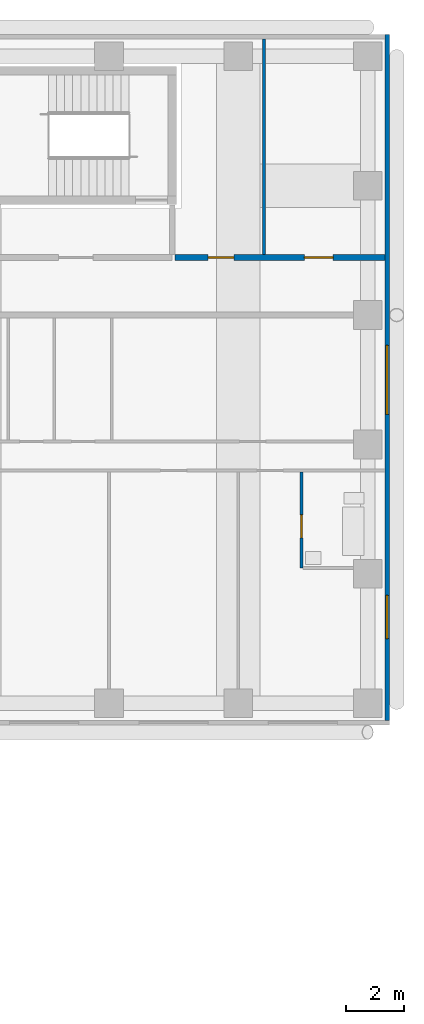
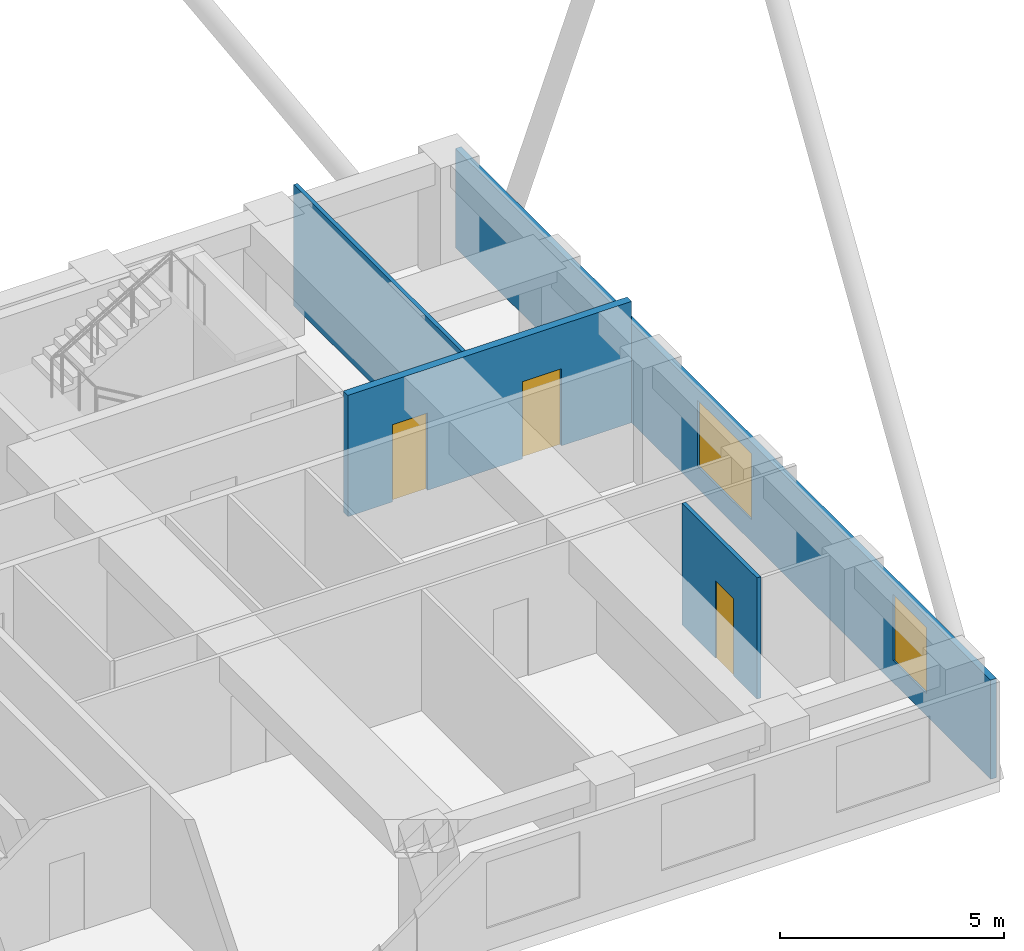
# One storey, part 10 of 13: 4 walls, 3 doors, 2 windows, 5 openings.
"""IFC4 building model written with IfcOpenShell, lengths in metres."""

from ifc_helpers import new_model, si_unit, direction, frame, frame_2d, origin, place, context, subcontext, project, spatial, rectangle, extrude, material, layer, layer_set, type_object, element, fill, save


model = new_model("IFC4")

# Units and contexts
model_context = context("Model", 3, precision=1e-05, world=origin(), true_north=direction((0.0, 1.0)))
body_context = subcontext(model_context, "Body", "Model", "MODEL_VIEW")
ifc_project = project(units=[si_unit("LENGTHUNIT", "METRE"), si_unit("AREAUNIT", "SQUARE_METRE"), si_unit("VOLUMEUNIT", "CUBIC_METRE"), si_unit("PLANEANGLEUNIT", "RADIAN"), si_unit("MASSUNIT", "GRAM", prefix="KILO")], contexts=[model_context])

# Site, building, storey
site_placement = place(None, origin())
site = spatial("IfcSite", under=ifc_project, at=site_placement, CompositionType="ELEMENT")
building_placement = place(site_placement, origin())
building = spatial("IfcBuilding", under=site, at=building_placement, Name="Firuza Court", CompositionType="ELEMENT")
storey_placement = place(building_placement, frame((0.0, 0.0, 141.199951171875)))
storey = spatial("IfcBuildingStorey", under=building, at=storey_placement, Name="L35", CompositionType="ELEMENT", Elevation=141.199951171875)

# Wall, opening, door
ifc_material_1 = material(Name="Moisture-resistant gypsum board partition")
ifc_layer_1 = layer(ifc_material_1, 0.10009765625)
ifc_layer_set_1 = layer_set([ifc_layer_1], Name="Moisture-resistant gypsum board partition")
wall_type_1 = type_object("IfcWallType", Name="Bathroom partition 100", PredefinedType="PLUMBINGWALL", material=ifc_layer_set_1)
wall_1_placement = place(storey_placement, frame((65.199951171875, 40.699951171875, 0.0), z_axis=(0.0, 0.0, 1.0), x_axis=(0.0, 1.0, 0.0)))
wall_1 = element("IfcWall", 1, at=wall_1_placement, inside=storey, type_object=wall_type_1, Name="Bathroom partition 100 L35", PredefinedType="PLUMBINGWALL", context=body_context, shape_type="SweptSolid", body=[
    extrude(rectangle(XDim=3.35009765625, YDim=0.10009765625, at=frame_2d((1.675048828125, 0.0))), origin(), (0.0, 0.0, 1.0), 3.300048828125),
])
opening_1_placement = place(wall_1_placement, frame((1.050048828125, 0.0, 0.0)))
opening_1 = element("IfcOpeningElement", 2, at=opening_1_placement, cuts=wall_1, Name="Opening D35045", PredefinedType="OPENING", context=body_context, shape_type="SweptSolid", body=[
    extrude(rectangle(XDim=0.800048828125, YDim=2.10009765625, at=frame_2d((0.39990234375, 1.050048828125))), frame((0.0, 0.06201171875, 0.0), z_axis=(0.0, -1.0, 0.0), x_axis=(1.0, 0.0, 0.0)), (0.0, 0.0, 1.0), 0.1240234375),
])
ifc_material_2 = material(Name="Timber door leaf in hardwood frame", Category="wood")
door_type_1 = type_object("IfcDoorType", Name="Bathroom door 800", OperationType="SINGLE_SWING_LEFT", PredefinedType="DOOR", material=ifc_material_2)
door_1_placement = place(opening_1_placement, frame((0.800048828125, 0.0, 0.0), z_axis=(0.0, 0.0, 1.0), x_axis=(-1.0, 0.0, 0.0)))
door_1 = element("IfcDoor", 3, at=door_1_placement, inside=storey, type_object=door_type_1, Name="En-suite door", OperationType="SINGLE_SWING_RIGHT", OverallHeight=2.10009765625, OverallWidth=0.800048828125, PredefinedType="DOOR", context=body_context, shape_type="SweptSolid", body=[
    extrude(rectangle(XDim=0.800048828125, YDim=2.10009765625, at=frame_2d((0.39990234375, 1.050048828125))), frame((0.0, 0.02490234375, 0.0), z_axis=(0.0, -1.0, 0.0), x_axis=(1.0, 0.0, 0.0)), (0.0, 0.0, 1.0), 0.050048828125),
])
fill(opening_1, door_1)

# Wall, openings, doors
ifc_material_3 = material(Name="Blockwork, plastered both sides", Category="masonry")
ifc_layer_2 = layer(ifc_material_3, 0.199951171875)
ifc_layer_set_2 = layer_set([ifc_layer_2], Name="Blockwork, plastered both sides")
wall_type_2 = type_object("IfcWallType", Name="Corridor wall 200", PredefinedType="PARTITIONING", material=ifc_layer_set_2)
wall_2_placement = place(storey_placement, frame((60.800048828125, 51.5, 0.0), z_axis=(0.0, 0.0, 1.0), x_axis=(1.0, 0.0, 0.0)))
wall_2 = element("IfcWall", 4, at=wall_2_placement, inside=storey, type_object=wall_type_2, Name="Corridor wall 200 L35", PredefinedType="PARTITIONING", context=body_context, shape_type="SweptSolid", body=[
    extrude(rectangle(XDim=7.300048828125, YDim=0.199951171875, at=frame_2d((3.64990234375, 0.0))), origin(), (0.0, 0.0, 1.0), 3.300048828125),
])
opening_2_placement = place(wall_2_placement, frame((1.14990234375, 0.0, 0.0)))
opening_2 = element("IfcOpeningElement", 5, at=opening_2_placement, cuts=wall_2, Name="Opening D35070", PredefinedType="OPENING", context=body_context, shape_type="SweptSolid", body=[
    extrude(rectangle(XDim=0.89990234375, YDim=2.10009765625, at=frame_2d((0.449951171875, 1.050048828125))), frame((0.0, 0.11181640625, 0.0), z_axis=(0.0, -1.0, 0.0), x_axis=(1.0, 0.0, 0.0)), (0.0, 0.0, 1.0), 0.223876953125),
])
opening_3_placement = place(wall_2_placement, frame((4.5, 0.0, 0.0)))
opening_3 = element("IfcOpeningElement", 6, at=opening_3_placement, cuts=wall_2, Name="Opening D35071", PredefinedType="OPENING", context=body_context, shape_type="SweptSolid", body=[
    extrude(rectangle(XDim=1.0, YDim=2.10009765625, at=frame_2d((0.5, 1.050048828125))), frame((0.0, 0.11181640625, 0.0), z_axis=(0.0, -1.0, 0.0), x_axis=(1.0, 0.0, 0.0)), (0.0, 0.0, 1.0), 0.223876953125),
])
ifc_material_4 = material(Name="Timber door leaf in hardwood frame", Category="wood")
door_type_2 = type_object("IfcDoorType", Name="Room door 900 EI 30", OperationType="SINGLE_SWING_LEFT", PredefinedType="DOOR", material=ifc_material_4)
door_2_placement = place(opening_2_placement, origin())
door_2 = element("IfcDoor", 7, at=door_2_placement, inside=storey, type_object=door_type_2, Name="Staff pantry door", OperationType="SINGLE_SWING_LEFT", OverallHeight=2.10009765625, OverallWidth=0.89990234375, PredefinedType="DOOR", context=body_context, shape_type="SweptSolid", body=[
    extrude(rectangle(XDim=0.89990234375, YDim=2.10009765625, at=frame_2d((0.449951171875, 1.050048828125))), frame((0.0, 0.02490234375, 0.0), z_axis=(0.0, -1.0, 0.0), x_axis=(1.0, 0.0, 0.0)), (0.0, 0.0, 1.0), 0.050048828125),
])
fill(opening_2, door_2)
ifc_material_5 = material(Name="Timber door leaf in hardwood frame", Category="wood")
door_type_3 = type_object("IfcDoorType", Name="Store door 1000", OperationType="SINGLE_SWING_LEFT", PredefinedType="DOOR", material=ifc_material_5)
door_3_placement = place(opening_3_placement, origin())
door_3 = element("IfcDoor", 8, at=door_3_placement, inside=storey, type_object=door_type_3, Name="Parcel room door", OperationType="SINGLE_SWING_LEFT", OverallHeight=2.10009765625, OverallWidth=1.0, PredefinedType="DOOR", context=body_context, shape_type="SweptSolid", body=[
    extrude(rectangle(XDim=1.0, YDim=2.10009765625, at=frame_2d((0.5, 1.050048828125))), frame((0.0, 0.02490234375, 0.0), z_axis=(0.0, -1.0, 0.0), x_axis=(1.0, 0.0, 0.0)), (0.0, 0.0, 1.0), 0.050048828125),
])
fill(opening_3, door_3)

# Wall
ifc_material_6 = material(Name="Timber stud partition, plasterboard both sides", Category="wood")
ifc_layer_3 = layer(ifc_material_6, 0.10009765625)
ifc_layer_set_3 = layer_set([ifc_layer_3], Name="Timber stud partition, plasterboard both sides")
wall_type_3 = type_object("IfcWallType", Name="Partition wall 100", PredefinedType="PARTITIONING", material=ifc_layer_set_3)
wall_3_placement = place(storey_placement, frame((63.89990234375, 51.60009765625, 0.0), z_axis=(0.0, 0.0, 1.0), x_axis=(0.0, 1.0, 0.0)))
element("IfcWall", 9, at=wall_3_placement, inside=storey, type_object=wall_type_3, Name="Partition wall 100 L35", PredefinedType="PARTITIONING", context=body_context, shape_type="SweptSolid", body=[
    extrude(rectangle(XDim=7.5, YDim=0.10009765625, at=frame_2d((3.75, 0.0))), origin(), (0.0, 0.0, 1.0), 3.300048828125),
])

# Wall, openings, windows
ifc_material_7 = material(Name="Ceramic tile", Category="ceramic")
ifc_layer_4 = layer(ifc_material_7, 0.02001953125)
ifc_material_8 = material(Name="Mineral wool insulation", Category="insulation")
ifc_layer_5 = layer(ifc_material_8, 0.050048828125)
ifc_material_9 = material(Name="Concrete C40/50 precast", Category="concrete")
ifc_layer_6 = layer(ifc_material_9, 0.080078125)
ifc_layer_set_4 = layer_set([ifc_layer_4, ifc_layer_5, ifc_layer_6], Name="Concrete C40/50 precast")
wall_type_4 = type_object("IfcWallType", Name="Precast cladding wall with turquoise TILE PANEL face 150", PredefinedType="STANDARD", material=ifc_layer_set_4)
wall_4_placement = place(storey_placement, frame((68.175048828125, 35.39990234375, 0.0), z_axis=(0.0, 0.0, 1.0), x_axis=(0.0, 1.0, 0.0)))
wall_4 = element("IfcWall", 10, at=wall_4_placement, inside=storey, type_object=wall_type_4, Name="Facade wall L35 E", PredefinedType="STANDARD", context=body_context, shape_type="SweptSolid", body=[
    extrude(rectangle(XDim=23.85009765625, YDim=0.14990234375, at=frame_2d((11.925048828125, 0.0))), origin(), (0.0, 0.0, 1.0), 2.699951171875),
])
opening_4_placement = place(wall_4_placement, frame((2.8466796875, 0.0, 0.60009765625)))
opening_4 = element("IfcOpeningElement", 11, at=opening_4_placement, cuts=wall_4, Name="Opening W2", PredefinedType="OPENING", context=body_context, shape_type="SweptSolid", body=[
    extrude(rectangle(XDim=1.5, YDim=1.800048828125, at=frame_2d((0.75, 0.89990234375))), frame((0.0, 0.0869140625, 0.0), z_axis=(0.0, -1.0, 0.0), x_axis=(1.0, 0.0, 0.0)), (0.0, 0.0, 1.0), 0.173828125),
])
opening_5_placement = place(wall_4_placement, frame((10.64990234375, 0.0, 0.60009765625)))
opening_5 = element("IfcOpeningElement", 12, at=opening_5_placement, cuts=wall_4, Name="Opening W1", PredefinedType="OPENING", context=body_context, shape_type="SweptSolid", body=[
    extrude(rectangle(XDim=2.39990234375, YDim=1.800048828125, at=frame_2d((1.199951171875, 0.89990234375))), frame((0.0, 0.0869140625, 0.0), z_axis=(0.0, -1.0, 0.0), x_axis=(1.0, 0.0, 0.0)), (0.0, 0.0, 1.0), 0.173828125),
])
ifc_material_10 = material(Name="Aluminium frame, triple clear glazing", Category="aluminium")
window_type_1 = type_object("IfcWindowType", Name="Window W1 2400 x 1800", PartitioningType="SINGLE_PANEL", PredefinedType="WINDOW", material=ifc_material_10)
window_1_placement = place(opening_5_placement, origin())
window_1 = element("IfcWindow", 13, at=window_1_placement, inside=storey, type_object=window_type_1, Name="Window L35", OverallHeight=1.800048828125, OverallWidth=2.39990234375, PartitioningType="SINGLE_PANEL", PredefinedType="WINDOW", context=body_context, shape_type="SweptSolid", body=[
    extrude(rectangle(XDim=2.39990234375, YDim=1.800048828125, at=frame_2d((1.199951171875, 0.89990234375))), frame((0.0, 0.030029296875, 0.0), z_axis=(0.0, -1.0, 0.0), x_axis=(1.0, 0.0, 0.0)), (0.0, 0.0, 1.0), 0.06005859375),
])
fill(opening_5, window_1)
ifc_material_11 = material(Name="Aluminium frame, triple clear glazing", Category="aluminium")
window_type_2 = type_object("IfcWindowType", Name="Window W2 1500 x 1800", PartitioningType="SINGLE_PANEL", PredefinedType="WINDOW", material=ifc_material_11)
window_2_placement = place(opening_4_placement, origin())
window_2 = element("IfcWindow", 14, at=window_2_placement, inside=storey, type_object=window_type_2, Name="Window L35", OverallHeight=1.800048828125, OverallWidth=1.5, PartitioningType="SINGLE_PANEL", PredefinedType="WINDOW", context=body_context, shape_type="SweptSolid", body=[
    extrude(rectangle(XDim=1.5, YDim=1.800048828125, at=frame_2d((0.75, 0.89990234375))), frame((0.0, 0.030029296875, 0.0), z_axis=(0.0, -1.0, 0.0), x_axis=(1.0, 0.0, 0.0)), (0.0, 0.0, 1.0), 0.06005859375),
])
fill(opening_4, window_2)

save(model, "model.ifc")
